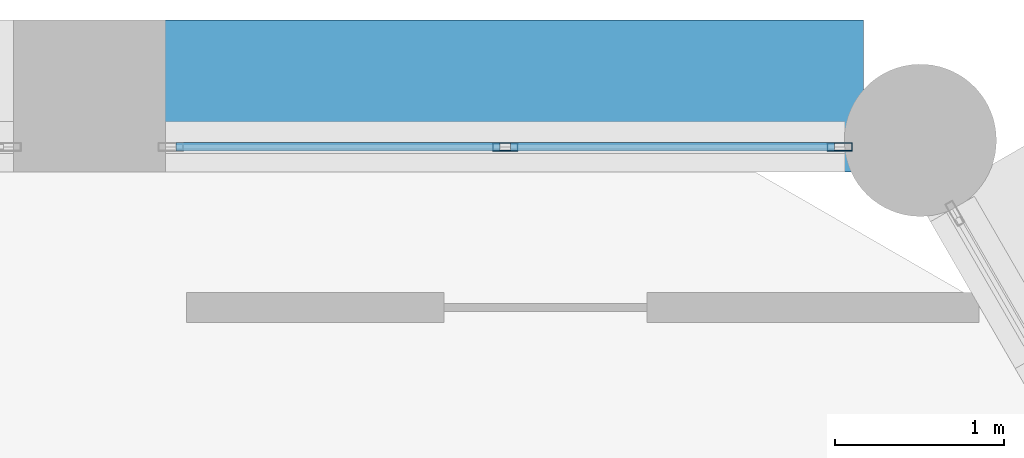
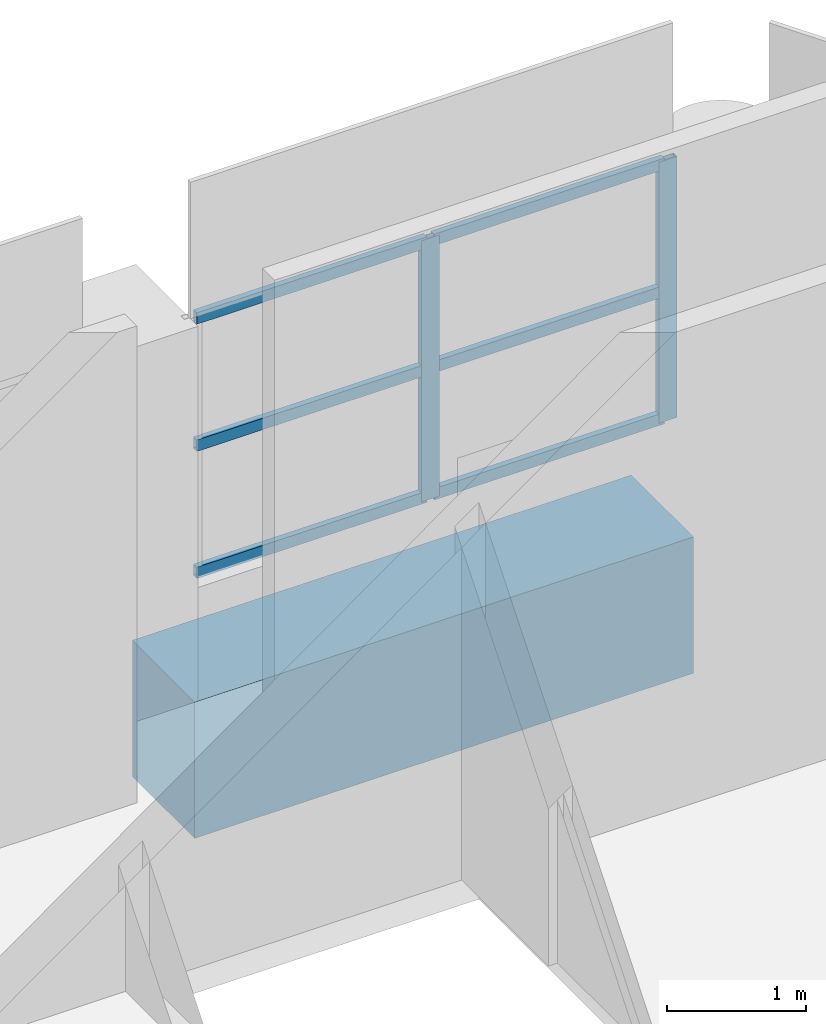
# One storey, part 13 of 25: 8 members, 1 beam, 1 element without a shape of its own.
"""IFC4 building model written with IfcOpenShell, lengths in metres."""

import ifcopenshell
import ifcopenshell.guid

model = None  # the IFC model being written
_history = None  # IfcOwnerHistory: only IFC2X3 demands one
_inside = {}  # id of a spatial element -> (the spatial element, [elements in it])
_under = {}  # id of a project, library or spatial element -> (it, [spatial elements below it])
_declared = {}  # id of a project -> (the project, [libraries it declares])
_typed = {}  # id of a type object -> (the type object, [elements of that type])
_made_of = {}  # id of a material, layer set ... -> (it, [elements and type objects made of it])


def new_model(schema):
    """Start an empty IFC model of exactly this schema.

    Asked for "IFC4X3", IfcOpenShell would pick the latest addendum, in which some entities
    have other attributes; the version numbers below select the first issue.
    IFC2X3 requires an IfcOwnerHistory on every rooted entity: one is made here for all.
    """
    global model, _history
    if schema == "IFC4X3":
        model = ifcopenshell.file(schema_version=(4, 3, 0, 0))
    else:
        model = ifcopenshell.file(schema=schema)
    _inside.clear()
    _under.clear()
    _declared.clear()
    _typed.clear()
    _made_of.clear()
    _history = None
    if model.schema == "IFC2X3":
        org = make("IfcOrganization", Name="unknown")
        user = make(
            "IfcPersonAndOrganization",
            ThePerson=make("IfcPerson", FamilyName="unknown"),
            TheOrganization=org,
        )
        app = make(
            "IfcApplication",
            ApplicationDeveloper=org,
            Version="unknown",
            ApplicationFullName="unknown",
            ApplicationIdentifier="unknown",
        )
        _history = make(
            "IfcOwnerHistory",
            OwningUser=user,
            OwningApplication=app,
            ChangeAction="ADDED",
            CreationDate=0,
        )
    return model


def make(cls, **values):
    """One entity of the class cls with the attributes given. An attribute that is None is left unset."""
    return model.create_entity(
        cls, **{name: value for name, value in values.items() if value is not None}
    )


def rooted(cls, **values):
    """An entity with a GlobalId (a new one), such as an element, a storey or a relation."""
    return make(cls, GlobalId=ifcopenshell.guid.new(), OwnerHistory=_history, **values)


def si_unit(unit_type, name, prefix=None):
    """IfcSIUnit, for example si_unit("LENGTHUNIT", "METRE", prefix="MILLI")."""
    return make("IfcSIUnit", UnitType=unit_type, Prefix=prefix, Name=name)


def assignment(units):
    """IfcUnitAssignment: the units of a project."""
    return None if units is None else make("IfcUnitAssignment", Units=units)


def point(xyz):
    """IfcCartesianPoint."""
    return None if xyz is None else make("IfcCartesianPoint", Coordinates=xyz)


def direction(xyz):
    """IfcDirection."""
    return None if xyz is None else make("IfcDirection", DirectionRatios=xyz)


def frame(location, z_axis=None, x_axis=None):
    """IfcAxis2Placement3D, a coordinate frame: its origin and axes. An axis left out is left unset."""
    return make(
        "IfcAxis2Placement3D",
        Location=point(location),
        Axis=direction(z_axis),
        RefDirection=direction(x_axis),
    )


def frame_2d(location, x_axis=None):
    """IfcAxis2Placement2D, a coordinate frame in the plane: its origin and x axis."""
    return make(
        "IfcAxis2Placement2D", Location=point(location), RefDirection=direction(x_axis)
    )


def origin():
    """The frame at (0, 0, 0) with its axes left unset."""
    return frame((0.0, 0.0, 0.0))


def origin_2d():
    """The frame at (0, 0) in the plane with its x axis left unset."""
    return frame_2d((0.0, 0.0))


def place(relative_to, where):
    """IfcLocalPlacement: puts the frame where relative to a parent placement (None: the world)."""
    return make(
        "IfcLocalPlacement", PlacementRelTo=relative_to, RelativePlacement=where
    )


def context(
    kind, dimensions, precision=None, world=None, true_north=None, identifier=None
):
    """IfcGeometricRepresentationContext, for example the 3D "Model" context."""
    return make(
        "IfcGeometricRepresentationContext",
        ContextIdentifier=identifier,
        ContextType=kind,
        CoordinateSpaceDimension=dimensions,
        Precision=precision,
        WorldCoordinateSystem=world,
        TrueNorth=true_north,
    )


def subcontext(parent, identifier, kind, view, scale=None):
    """IfcGeometricRepresentationSubContext, for example "Body" below "Model"."""
    return make(
        "IfcGeometricRepresentationSubContext",
        ContextIdentifier=identifier,
        ContextType=kind,
        ParentContext=parent,
        TargetScale=scale,
        TargetView=view,
    )


def project(units=None, contexts=None):
    """IfcProject with its units and contexts."""
    return rooted(
        "IfcProject",
        Name="project",
        RepresentationContexts=contexts,
        UnitsInContext=assignment(units),
    )


def spatial(cls, under=None, at=None, **own):
    """A site, building, storey or space (cls), placed at a placement, below another one or the project."""
    s = rooted(cls, ObjectPlacement=at, **own)
    if under is not None:
        _under.setdefault(under.id(), (under, []))[1].append(s)
    return s


def profile(cls, at=None, kind="AREA", **sizes):
    """A parametric profile (cls). Its sizes go by their IFC names, for example OverallWidth=200.0."""
    return make(cls, ProfileType=kind, Position=at, **sizes)


def rectangle(**sizes):
    """IfcRectangleProfileDef."""
    return profile("IfcRectangleProfileDef", **sizes)


def hollow_rectangle(**sizes):
    """IfcRectangleHollowProfileDef."""
    return profile("IfcRectangleHollowProfileDef", **sizes)


def extrude(swept, where, along, depth):
    """IfcExtrudedAreaSolid: the profile swept, set in the frame where, extruded along a direction by depth."""
    return make(
        "IfcExtrudedAreaSolid",
        SweptArea=swept,
        Position=where,
        ExtrudedDirection=direction(along),
        Depth=depth,
    )


def shape(context_of_items, identifier, shape_type, items):
    """IfcShapeRepresentation: the items that make up one representation, for example the "Body"."""
    return make(
        "IfcShapeRepresentation",
        ContextOfItems=context_of_items,
        RepresentationIdentifier=identifier,
        RepresentationType=shape_type,
        Items=items,
    )


def material(Name=None, Category=None):
    """IfcMaterial."""
    return make("IfcMaterial", Name=Name, Category=Category)


def material_profile(
    of_material, cross_section, Name=None, Category=None, Priority=None
):
    """IfcMaterialProfile: a cross section and its material."""
    return make(
        "IfcMaterialProfile",
        Name=Name,
        Material=of_material,
        Profile=cross_section,
        Priority=Priority,
        Category=Category,
    )


def profile_set(profiles, Name=None, composite=None):
    """IfcMaterialProfileSet."""
    return make(
        "IfcMaterialProfileSet",
        Name=Name,
        MaterialProfiles=profiles,
        CompositeProfile=composite,
    )


def made_of(thing, what):
    """Note that an element or type object is made of a material, layer set ...; save() writes the relation."""
    if what is not None:
        _made_of.setdefault(what.id(), (what, []))[1].append(thing)
    return thing


def type_object(cls, material=None, **own):
    """A type object (cls), such as IfcWallType, which elements share."""
    return made_of(rooted(cls, **own), material)


def element(
    cls,
    number,
    at=None,
    inside=None,
    cuts=None,
    type_object=None,
    material=None,
    context=None,
    identifier="Body",
    shape_type=None,
    held_by="IfcProductDefinitionShape",
    body=None,
    shapes=None,
    **own,
):
    """One element of the class cls, such as IfcWall. Its Tag is "e" and its number.

    at: its placement. inside: the storey or other place that contains it. cuts: it is an
    opening in that element (IfcRelVoidsElement). A single representation is given by context,
    identifier, shape_type and body (its items); several are given by shapes. held_by: the class
    of the entity that holds the representations. save() writes the other relations.
    """
    e = rooted(cls, Tag="e%d" % number, ObjectPlacement=at, **own)
    if body is not None:
        shapes = [shape(context, identifier, shape_type, body)]
    if shapes is not None:
        e.Representation = make(held_by, Representations=shapes)
    if inside is not None:
        _inside.setdefault(inside.id(), (inside, []))[1].append(e)
    if cuts is not None:
        rooted(
            "IfcRelVoidsElement", RelatingBuildingElement=cuts, RelatedOpeningElement=e
        )
    if type_object is not None:
        _typed.setdefault(type_object.id(), (type_object, []))[1].append(e)
    return made_of(e, material)


def aggregate(whole, parts):
    """IfcRelAggregates: a whole, such as a stair, and the parts it consists of."""
    return rooted("IfcRelAggregates", RelatingObject=whole, RelatedObjects=parts)


def save(model, path):
    """Write the relations noted so far, then the file.

    IfcRelAggregates (storeys below a building ...), IfcRelContainedInSpatialStructure (elements
    in a storey), IfcRelDefinesByType, IfcRelAssociatesMaterial and IfcRelDeclares: one each for
    every whole, place, type object, material and project.
    """
    for whole, parts in _under.values():
        aggregate(whole, parts)
    for where, things in _inside.values():
        rooted(
            "IfcRelContainedInSpatialStructure",
            RelatedElements=things,
            RelatingStructure=where,
        )
    for kind, things in _typed.values():
        rooted("IfcRelDefinesByType", RelatedObjects=things, RelatingType=kind)
    for what, things in _made_of.values():
        rooted("IfcRelAssociatesMaterial", RelatedObjects=things, RelatingMaterial=what)
    for by, libraries in _declared.values():
        rooted("IfcRelDeclares", RelatingContext=by, RelatedDefinitions=libraries)
    model.write(path)


model = new_model("IFC4")

# Units and contexts
model_context = context("Model", 3, precision=1e-05, world=origin(), true_north=direction((0.0, 1.0)))
body_context = subcontext(model_context, "Body", "Model", "MODEL_VIEW")
ifc_project = project(units=[si_unit("LENGTHUNIT", "METRE"), si_unit("AREAUNIT", "SQUARE_METRE"), si_unit("VOLUMEUNIT", "CUBIC_METRE"), si_unit("PLANEANGLEUNIT", "RADIAN"), si_unit("MASSUNIT", "GRAM", prefix="KILO")], contexts=[model_context])

# Site, building, storey
site_placement = place(None, origin())
site = spatial("IfcSite", under=ifc_project, at=site_placement, CompositionType="ELEMENT")
building_placement = place(site_placement, origin())
building = spatial("IfcBuilding", under=site, at=building_placement, Name="Ostrander Bayou Hotel Tower", CompositionType="ELEMENT")
storey_placement = place(building_placement, frame((0.0, 0.0, 275.0)))
storey = spatial("IfcBuildingStorey", under=building, at=storey_placement, Name="L68", CompositionType="ELEMENT", Elevation=275.0)

# Curtain wall, members
ifc_material_1 = material(Name="Aluminium and clear glass", Category="aluminium")
curtain_wall_type = type_object("IfcCurtainWallType", Name="CW-CROWN glazed wall", PredefinedType="NOTDEFINED", material=ifc_material_1)
curtain_wall_placement = place(storey_placement, origin())
curtain_wall = element("IfcCurtainWall", 1, at=curtain_wall_placement, inside=storey, type_object=curtain_wall_type, Name="CW-CROWN L68:N-1", PredefinedType="NOTDEFINED")
ifc_material_2 = material(Name="Aluminium", Category="aluminium")
ifc_material_profile_1 = material_profile(ifc_material_2, hollow_rectangle(XDim=0.050048828125, YDim=0.14990234375, WallThickness=0.00390625, at=origin_2d()))
ifc_profile_set_1 = profile_set([ifc_material_profile_1], Name="Aluminium")
member_type_1 = type_object("IfcMemberType", Name="CW-CR mullion 50 x 150 mm", PredefinedType="MULLION", material=ifc_profile_set_1)
member_1_placement = place(storey_placement, frame((7.765869140625, 16.550048828125, 1.0), z_axis=(0.0, 0.0, 1.0), x_axis=(0.0, -1.0, 0.0)))
member_1 = element("IfcMember", 2, at=member_1_placement, type_object=member_type_1, Name="CW-CROWN mullion 1", PredefinedType="MULLION", context=body_context, shape_type="SweptSolid", body=[
    extrude(hollow_rectangle(XDim=0.050048828125, YDim=0.14990234375, WallThickness=0.00390625, at=origin_2d()), origin(), (0.0, 0.0, 1.0), 2.300048828125),
])
member_2_placement = place(storey_placement, frame((5.78759765625, 16.550048828125, 1.0), z_axis=(0.0, 0.0, 1.0), x_axis=(0.0, -1.0, 0.0)))
member_2 = element("IfcMember", 3, at=member_2_placement, type_object=member_type_1, Name="CW-CROWN mullion 2", PredefinedType="MULLION", context=body_context, shape_type="SweptSolid", body=[
    extrude(hollow_rectangle(XDim=0.050048828125, YDim=0.14990234375, WallThickness=0.00390625, at=origin_2d()), origin(), (0.0, 0.0, 1.0), 2.300048828125),
])
ifc_material_3 = material(Name="Aluminium", Category="aluminium")
ifc_material_profile_2 = material_profile(ifc_material_3, hollow_rectangle(XDim=0.050048828125, YDim=0.10009765625, WallThickness=0.00390625, at=origin_2d()))
ifc_profile_set_2 = profile_set([ifc_material_profile_2], Name="Aluminium")
member_type_2 = type_object("IfcMemberType", Name="CW-CR transom 50 x 100 mm", PredefinedType="USERDEFINED", material=ifc_profile_set_2)
member_3_placement = place(storey_placement, frame((7.73583984375, 16.550048828125, 1.030029296875), z_axis=(-1.0, 0.0, 0.0), x_axis=(0.0, -1.0, 0.0)))
member_3 = element("IfcMember", 4, at=member_3_placement, type_object=member_type_2, Name="CW-CROWN transom 1.1", ObjectType="TRANSOM", PredefinedType="USERDEFINED", context=body_context, shape_type="SweptSolid", body=[
    extrude(hollow_rectangle(XDim=0.050048828125, YDim=0.10009765625, WallThickness=0.00390625, at=origin_2d()), origin(), (0.0, 0.0, 1.0), 1.918212890625),
])
member_4_placement = place(storey_placement, frame((7.73583984375, 16.550048828125, 2.14990234375), z_axis=(-1.0, 0.0, 0.0), x_axis=(0.0, -1.0, 0.0)))
member_4 = element("IfcMember", 5, at=member_4_placement, type_object=member_type_2, Name="CW-CROWN transom 1.2", ObjectType="TRANSOM", PredefinedType="USERDEFINED", context=body_context, shape_type="SweptSolid", body=[
    extrude(hollow_rectangle(XDim=0.050048828125, YDim=0.10009765625, WallThickness=0.00390625, at=origin_2d()), origin(), (0.0, 0.0, 1.0), 1.918212890625),
])
member_5_placement = place(storey_placement, frame((7.73583984375, 16.550048828125, 3.27001953125), z_axis=(-1.0, 0.0, 0.0), x_axis=(0.0, -1.0, 0.0)))
member_5 = element("IfcMember", 6, at=member_5_placement, type_object=member_type_2, Name="CW-CROWN transom 1.3", ObjectType="TRANSOM", PredefinedType="USERDEFINED", context=body_context, shape_type="SweptSolid", body=[
    extrude(hollow_rectangle(XDim=0.050048828125, YDim=0.10009765625, WallThickness=0.00390625, at=origin_2d()), origin(), (0.0, 0.0, 1.0), 1.918212890625),
])
member_6_placement = place(storey_placement, frame((5.757568359375, 16.550048828125, 1.030029296875), z_axis=(-1.0, 0.0, 0.0), x_axis=(0.0, -1.0, 0.0)))
member_6 = element("IfcMember", 7, at=member_6_placement, type_object=member_type_2, Name="CW-CROWN transom 2.1", ObjectType="TRANSOM", PredefinedType="USERDEFINED", context=body_context, shape_type="SweptSolid", body=[
    extrude(hollow_rectangle(XDim=0.050048828125, YDim=0.10009765625, WallThickness=0.00390625, at=origin_2d()), origin(), (0.0, 0.0, 1.0), 1.918212890625),
])
member_7_placement = place(storey_placement, frame((5.757568359375, 16.550048828125, 2.14990234375), z_axis=(-1.0, 0.0, 0.0), x_axis=(0.0, -1.0, 0.0)))
member_7 = element("IfcMember", 8, at=member_7_placement, type_object=member_type_2, Name="CW-CROWN transom 2.2", ObjectType="TRANSOM", PredefinedType="USERDEFINED", context=body_context, shape_type="SweptSolid", body=[
    extrude(hollow_rectangle(XDim=0.050048828125, YDim=0.10009765625, WallThickness=0.00390625, at=origin_2d()), origin(), (0.0, 0.0, 1.0), 1.918212890625),
])
member_8_placement = place(storey_placement, frame((5.757568359375, 16.550048828125, 3.27001953125), z_axis=(-1.0, 0.0, 0.0), x_axis=(0.0, -1.0, 0.0)))
member_8 = element("IfcMember", 9, at=member_8_placement, type_object=member_type_2, Name="CW-CROWN transom 2.3", ObjectType="TRANSOM", PredefinedType="USERDEFINED", context=body_context, shape_type="SweptSolid", body=[
    extrude(hollow_rectangle(XDim=0.050048828125, YDim=0.10009765625, WallThickness=0.00390625, at=origin_2d()), origin(), (0.0, 0.0, 1.0), 1.918212890625),
])
aggregate(curtain_wall, [member_1, member_2, member_3, member_4, member_5, member_6, member_7, member_8])

# Beam
ifc_material_4 = material(Name="Concrete f'c 60 MPa", Category="concrete")
ifc_material_profile_3 = material_profile(ifc_material_4, rectangle(XDim=0.89990234375, YDim=1.199951171875, at=origin_2d()))
ifc_profile_set_3 = profile_set([ifc_material_profile_3], Name="Concrete f'c 60 MPa")
beam_type = type_object("IfcBeamType", Name="SP4 spandrel beam 900 x 1200 mm f'c 60 MPa", PredefinedType="SPANDREL", material=ifc_profile_set_3)
beam_placement = place(storey_placement, frame((7.90576171875, 16.85009765625, -0.60009765625), z_axis=(-1.0, 0.0, 0.0), x_axis=(0.0, -1.0, 0.0)))
element("IfcBeam", 10, at=beam_placement, inside=storey, type_object=beam_type, Name="SP4 L68 N-1", PredefinedType="SPANDREL", context=body_context, shape_type="SweptSolid", body=[
    extrude(rectangle(XDim=0.89990234375, YDim=1.199951171875, at=origin_2d()), origin(), (0.0, 0.0, 1.0), 4.15625),
])

save(model, "model.ifc")
